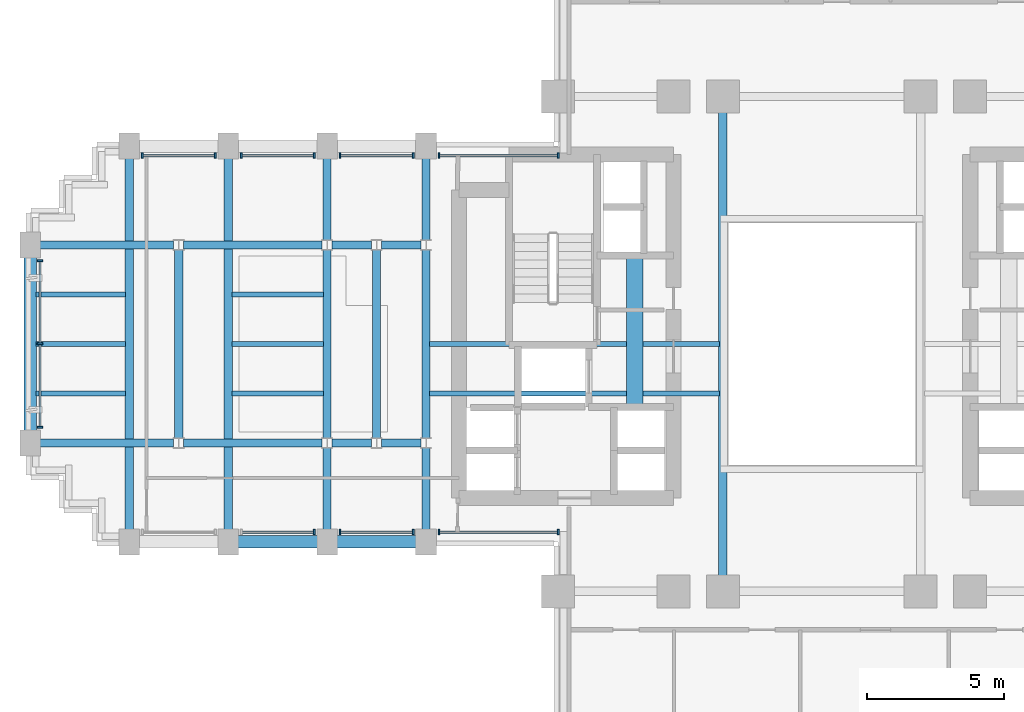
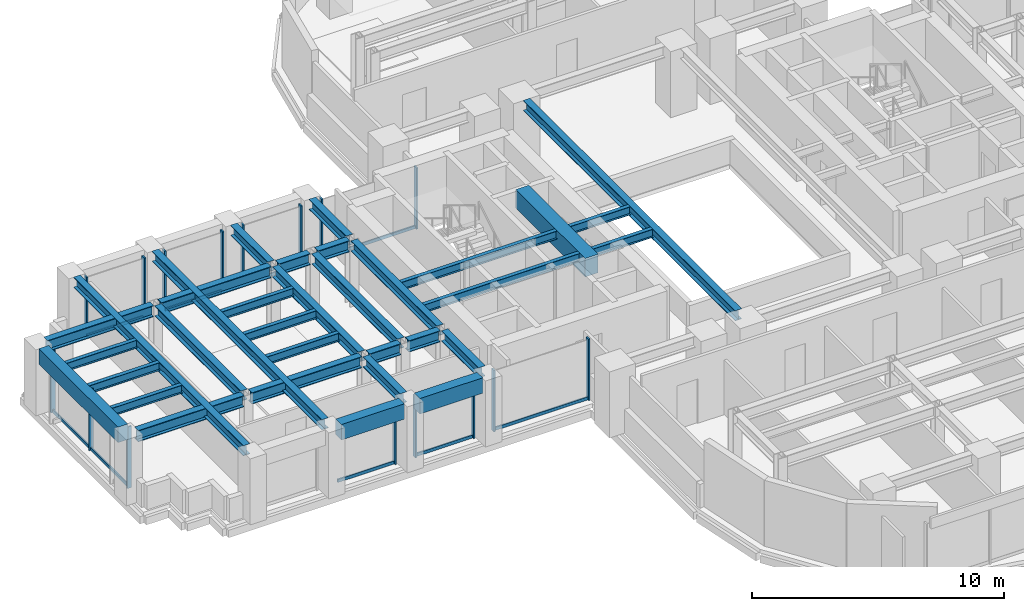
# One storey, part 4 of 16: 31 beams, 25 members, 8 elements without a shape of their own.
"""IFC4 building model written with IfcOpenShell, lengths in metres."""

from ifc_helpers import new_model, si_unit, direction, frame, origin, origin_2d, place, context, subcontext, project, spatial, rectangle, i_section, extrude, source, transform, mapped, material, material_profile, profile_set, type_object, element, aggregate, save


model = new_model("IFC4")

# Units and contexts
model_context = context("Model", 3, precision=1e-05, world=origin(), true_north=direction((0.0, 1.0)))
body_context = subcontext(model_context, "Body", "Model", "MODEL_VIEW")
ifc_project = project(units=[si_unit("LENGTHUNIT", "METRE"), si_unit("AREAUNIT", "SQUARE_METRE"), si_unit("VOLUMEUNIT", "CUBIC_METRE"), si_unit("PLANEANGLEUNIT", "RADIAN"), si_unit("MASSUNIT", "GRAM", prefix="KILO")], contexts=[model_context])

# Site, building, storey
site_placement = place(None, origin())
site = spatial("IfcSite", under=ifc_project, at=site_placement, CompositionType="ELEMENT")
building_placement = place(site_placement, origin())
building = spatial("IfcBuilding", under=site, at=building_placement, Name="Keilestroom Media Tower", CompositionType="ELEMENT")
storey_placement = place(building_placement, frame((0.0, 0.0, 71.39990234375)))
storey = spatial("IfcBuildingStorey", under=building, at=storey_placement, Name="L18", CompositionType="ELEMENT", Elevation=71.39990234375)

# Beams
ifc_material_1 = material(Name="Concrete C70/85", Category="concrete")
ifc_material_profile_1 = material_profile(ifc_material_1, rectangle(XDim=0.60009765625, YDim=0.89990234375, at=origin_2d()), Name="RC 600x900")
ifc_profile_set_1 = profile_set([ifc_material_profile_1], Name="Concrete C70/85")
beam_type_1 = type_object("IfcBeamType", Name="Core-Coupling-Lintel-Beam-RC-600x900", PredefinedType="LINTEL", material=ifc_profile_set_1)
shared_shape_1 = source(origin(), body_context, "Body", "SweptSolid", [
    extrude(rectangle(XDim=0.60009765625, YDim=0.89990234375, at=origin_2d()), origin(), (0.0, 0.0, 1.0), 5.52001953125),
])
beam_1_placement = place(storey_placement, frame((-6.800048828125, -2.300048828125, 2.75), z_axis=(0.0, 1.0, 0.0), x_axis=(-1.0, 0.0, 0.0)))
element("IfcBeam", 1, at=beam_1_placement, inside=storey, type_object=beam_type_1, Name="L18 Beam CLB-1 CLB-L18-W", PredefinedType="LINTEL", context=body_context, shape_type="MappedRepresentation", body=[
    mapped(shared_shape_1, transform((0.0, 0.0, 0.0), x_axis=(1.0, 0.0, 0.0), y_axis=(0.0, 1.0, 0.0), z_axis=(0.0, 0.0, 1.0), scale=1.0)),
])
ifc_material_2 = material(Name="Precast concrete C40/50", Category="concrete")
ifc_material_profile_2 = material_profile(ifc_material_2, rectangle(XDim=0.449951171875, YDim=0.75, at=origin_2d()), Name="PC 450x750")
ifc_profile_set_2 = profile_set([ifc_material_profile_2], Name="Precast concrete C40/50")
beam_type_2 = type_object("IfcBeamType", Name="Perimeter-Spandrel-Beam-PC-450x750", PredefinedType="SPANDREL", material=ifc_profile_set_2)
shared_shape_2 = source(origin(), body_context, "Body", "SweptSolid", [
    extrude(rectangle(XDim=0.449951171875, YDim=0.75, at=origin_2d()), origin(), (0.0, 0.0, 1.0), 6.2900390625),
])
beam_2_placement = place(storey_placement, frame((-28.800048828125, -3.14501953125, 2.8251953125), z_axis=(0.0, 1.0, 0.0), x_axis=(-1.0, 0.0, 0.0)))
element("IfcBeam", 2, at=beam_2_placement, inside=storey, type_object=beam_type_2, Name="L18 Beam SPB-1 BM-L18-NS-051", PredefinedType="SPANDREL", context=body_context, shape_type="MappedRepresentation", body=[
    mapped(shared_shape_2, transform((0.0, 0.0, 0.0), x_axis=(1.0, 0.0, 0.0), y_axis=(0.0, 1.0, 0.0), z_axis=(0.0, 0.0, 1.0), scale=1.0)),
])
shared_shape_3 = source(origin(), body_context, "Body", "SweptSolid", [
    extrude(rectangle(XDim=0.449951171875, YDim=0.75, at=origin_2d()), origin(), (0.0, 0.0, 1.0), 2.89013671875),
])
for number, where, z_axis, x_axis, name in (
    (3, (-21.2451171875, -7.199951171875, 2.8251953125), (1.0, 0.0, 0.0), (0.0, 1.0, 0.0), "L18 Beam SPB-1 BM-L18-EW-013"),
    (4, (-17.64501953125, -7.199951171875, 2.8251953125), (1.0, 0.0, 0.0), (0.0, 1.0, 0.0), "L18 Beam SPB-1 BM-L18-EW-014"),
):
    element("IfcBeam", number, at=place(storey_placement, frame(where, z_axis=z_axis, x_axis=x_axis)), inside=storey, type_object=beam_type_2, Name=name, PredefinedType="SPANDREL", context=body_context, shape_type="MappedRepresentation", body=[
        mapped(shared_shape_3, transform((0.0, 0.0, 0.0), x_axis=(1.0, 0.0, 0.0), y_axis=(0.0, 1.0, 0.0), z_axis=(0.0, 0.0, 1.0), scale=1.0)),
    ])
ifc_material_3 = material(Name="Steel S355", Category="steel")
ifc_material_profile_3 = material_profile(ifc_material_3, i_section(OverallWidth=0.300048828125, OverallDepth=0.550048828125, WebThickness=0.012939453125, FlangeThickness=0.029052734375, at=origin_2d()), Name="HEB 550")
ifc_profile_set_3 = profile_set([ifc_material_profile_3], Name="Steel S355")
beam_type_3 = type_object("IfcBeamType", Name="Primary-Structural-Girder-HEB-550", PredefinedType="BEAM", material=ifc_profile_set_3)
shared_shape_4 = source(origin(), body_context, "Body", "SweptSolid", [
    extrude(i_section(OverallWidth=0.300048828125, OverallDepth=0.550048828125, WebThickness=0.012939453125, FlangeThickness=0.029052734375, at=origin_2d()), origin(), (0.0, 0.0, 1.0), 4.863037109375),
])
for number, where, z_axis, x_axis, name in (
    (5, (-28.445068359375, -3.60009765625, 2.925048828125), (1.0, 0.0, 0.0), (0.0, 1.0, 0.0), "L18 Beam BG-5 BM-L18-EW-018"),
    (6, (-28.445068359375, 3.60009765625, 2.925048828125), (1.0, 0.0, 0.0), (0.0, 1.0, 0.0), "L18 Beam BG-5 BM-L18-EW-026"),
):
    element("IfcBeam", number, at=place(storey_placement, frame(where, z_axis=z_axis, x_axis=x_axis)), inside=storey, type_object=beam_type_3, Name=name, PredefinedType="BEAM", context=body_context, shape_type="MappedRepresentation", body=[
        mapped(shared_shape_4, transform((0.0, 0.0, 0.0), x_axis=(1.0, 0.0, 0.0), y_axis=(0.0, 1.0, 0.0), z_axis=(0.0, 0.0, 1.0), scale=1.0)),
    ])
shared_shape_5 = source(origin(), body_context, "Body", "SweptSolid", [
    extrude(i_section(OverallWidth=0.300048828125, OverallDepth=0.550048828125, WebThickness=0.012939453125, FlangeThickness=0.029052734375, at=origin_2d()), origin(), (0.0, 0.0, 1.0), 5.0361328125),
])
for number, where, z_axis, x_axis, name in (
    (7, (-23.218017578125, -3.60009765625, 2.925048828125), (1.0, 0.0, 0.0), (0.0, 1.0, 0.0), "L18 Beam BG-5 BM-L18-EW-019"),
    (8, (-23.218017578125, 3.60009765625, 2.925048828125), (1.0, 0.0, 0.0), (0.0, 1.0, 0.0), "L18 Beam BG-5 BM-L18-EW-027"),
):
    element("IfcBeam", number, at=place(storey_placement, frame(where, z_axis=z_axis, x_axis=x_axis)), inside=storey, type_object=beam_type_3, Name=name, PredefinedType="BEAM", context=body_context, shape_type="MappedRepresentation", body=[
        mapped(shared_shape_5, transform((0.0, 0.0, 0.0), x_axis=(1.0, 0.0, 0.0), y_axis=(0.0, 1.0, 0.0), z_axis=(0.0, 0.0, 1.0), scale=1.0)),
    ])
shared_shape_6 = source(origin(), body_context, "Body", "SweptSolid", [
    extrude(i_section(OverallWidth=0.300048828125, OverallDepth=0.550048828125, WebThickness=0.012939453125, FlangeThickness=0.029052734375, at=origin_2d()), origin(), (0.0, 0.0, 1.0), 1.43603515625),
])
for number, where, z_axis, x_axis, name in (
    (9, (-17.818115234375, -3.60009765625, 2.925048828125), (1.0, 0.0, 0.0), (0.0, 1.0, 0.0), "L18 Beam BG-5 BM-L18-EW-020"),
    (10, (-16.01806640625, -3.60009765625, 2.925048828125), (1.0, 0.0, 0.0), (0.0, 1.0, 0.0), "L18 Beam BG-5 BM-L18-EW-021"),
    (11, (-17.818115234375, 3.60009765625, 2.925048828125), (1.0, 0.0, 0.0), (0.0, 1.0, 0.0), "L18 Beam BG-5 BM-L18-EW-028"),
    (12, (-16.01806640625, 3.60009765625, 2.925048828125), (1.0, 0.0, 0.0), (0.0, 1.0, 0.0), "L18 Beam BG-5 BM-L18-EW-029"),
):
    element("IfcBeam", number, at=place(storey_placement, frame(where, z_axis=z_axis, x_axis=x_axis)), inside=storey, type_object=beam_type_3, Name=name, PredefinedType="BEAM", context=body_context, shape_type="MappedRepresentation", body=[
        mapped(shared_shape_6, transform((0.0, 0.0, 0.0), x_axis=(1.0, 0.0, 0.0), y_axis=(0.0, 1.0, 0.0), z_axis=(0.0, 0.0, 1.0), scale=1.0)),
    ])
ifc_material_profile_4 = material_profile(ifc_material_3, i_section(OverallWidth=0.300048828125, OverallDepth=0.5, WebThickness=0.012451171875, FlangeThickness=0.028076171875, at=origin_2d()), Name="HEB 500")
ifc_profile_set_4 = profile_set([ifc_material_profile_4], Name="Steel S355")
beam_type_4 = type_object("IfcBeamType", Name="Primary-Structural-Girder-HEB-500", PredefinedType="BEAM", material=ifc_profile_set_4)
shared_shape_7 = source(origin(), body_context, "Body", "SweptSolid", [
    extrude(i_section(OverallWidth=0.300048828125, OverallDepth=0.5, WebThickness=0.012451171875, FlangeThickness=0.028076171875, at=origin_2d()), origin(), (0.0, 0.0, 1.0), 13.490234375),
])
for number, where, z_axis, x_axis, name in (
    (13, (-25.199951171875, -6.7451171875, 2.9501953125), (0.0, 1.0, 0.0), (-1.0, 0.0, 0.0), "L18 Beam BG-6 BM-L18-NS-052"),
    (14, (-21.60009765625, -6.7451171875, 2.9501953125), (0.0, 1.0, 0.0), (-1.0, 0.0, 0.0), "L18 Beam BG-6 BM-L18-NS-054"),
):
    element("IfcBeam", number, at=place(storey_placement, frame(where, z_axis=z_axis, x_axis=x_axis)), inside=storey, type_object=beam_type_4, Name=name, PredefinedType="BEAM", context=body_context, shape_type="MappedRepresentation", body=[
        mapped(shared_shape_7, transform((0.0, 0.0, 0.0), x_axis=(1.0, 0.0, 0.0), y_axis=(0.0, 1.0, 0.0), z_axis=(0.0, 0.0, 1.0), scale=1.0)),
    ])
shared_shape_8 = source(origin(), body_context, "Body", "SweptSolid", [
    extrude(i_section(OverallWidth=0.300048828125, OverallDepth=0.5, WebThickness=0.012451171875, FlangeThickness=0.028076171875, at=origin_2d()), origin(), (0.0, 0.0, 1.0), 6.8330078125),
])
for number, where, z_axis, x_axis, name in (
    (15, (-23.39990234375, -3.41650390625, 2.9501953125), (0.0, 1.0, 0.0), (-1.0, 0.0, 0.0), "L18 Beam BG-6 BM-L18-NS-053"),
    (16, (-18.0, -3.41650390625, 2.9501953125), (0.0, 1.0, 0.0), (-1.0, 0.0, 0.0), "L18 Beam BG-6 BM-L18-NS-056"),
    (17, (-16.199951171875, -3.41650390625, 2.9501953125), (0.0, 1.0, 0.0), (-1.0, 0.0, 0.0), "L18 Beam BG-6 BM-L18-NS-058"),
    (18, (-14.39990234375, -3.41650390625, 2.9501953125), (0.0, 1.0, 0.0), (-1.0, 0.0, 0.0), "L18 Beam BG-6 BM-L18-NS-060"),
):
    element("IfcBeam", number, at=place(storey_placement, frame(where, z_axis=z_axis, x_axis=x_axis)), inside=storey, type_object=beam_type_4, Name=name, PredefinedType="BEAM", context=body_context, shape_type="MappedRepresentation", body=[
        mapped(shared_shape_8, transform((0.0, 0.0, 0.0), x_axis=(1.0, 0.0, 0.0), y_axis=(0.0, 1.0, 0.0), z_axis=(0.0, 0.0, 1.0), scale=1.0)),
    ])
shared_shape_9 = source(origin(), body_context, "Body", "SweptSolid", [
    extrude(i_section(OverallWidth=0.300048828125, OverallDepth=0.5, WebThickness=0.012451171875, FlangeThickness=0.028076171875, at=origin_2d()), origin(), (0.0, 0.0, 1.0), 2.961669921875),
])
for number, where, z_axis, x_axis, name in (
    (19, (-18.0, -6.7451171875, 2.9501953125), (0.0, 1.0, 0.0), (-1.0, 0.0, 0.0), "L18 Beam BG-6 BM-L18-NS-055"),
    (20, (-18.0, 3.783447265625, 2.9501953125), (0.0, 1.0, 0.0), (-1.0, 0.0, 0.0), "L18 Beam BG-6 BM-L18-NS-057"),
    (21, (-14.39990234375, -6.7451171875, 2.9501953125), (0.0, 1.0, 0.0), (-1.0, 0.0, 0.0), "L18 Beam BG-6 BM-L18-NS-059"),
    (22, (-14.39990234375, 3.783447265625, 2.9501953125), (0.0, 1.0, 0.0), (-1.0, 0.0, 0.0), "L18 Beam BG-6 BM-L18-NS-061"),
):
    element("IfcBeam", number, at=place(storey_placement, frame(where, z_axis=z_axis, x_axis=x_axis)), inside=storey, type_object=beam_type_4, Name=name, PredefinedType="BEAM", context=body_context, shape_type="MappedRepresentation", body=[
        mapped(shared_shape_9, transform((0.0, 0.0, 0.0), x_axis=(1.0, 0.0, 0.0), y_axis=(0.0, 1.0, 0.0), z_axis=(0.0, 0.0, 1.0), scale=1.0)),
    ])
shared_shape_10 = source(origin(), body_context, "Body", "SweptSolid", [
    extrude(i_section(OverallWidth=0.300048828125, OverallDepth=0.5, WebThickness=0.012451171875, FlangeThickness=0.028076171875, at=origin_2d()), origin(), (0.0, 0.0, 1.0), 16.83984375),
])
beam_3_placement = place(storey_placement, frame((-3.60009765625, -8.419921875, 2.9501953125), z_axis=(0.0, 1.0, 0.0), x_axis=(-1.0, 0.0, 0.0)))
element("IfcBeam", 23, at=beam_3_placement, inside=storey, type_object=beam_type_4, Name="L18 Beam BG-6 BM-L18-NS-066", PredefinedType="BEAM", context=body_context, shape_type="MappedRepresentation", body=[
    mapped(shared_shape_10, transform((0.0, 0.0, 0.0), x_axis=(1.0, 0.0, 0.0), y_axis=(0.0, 1.0, 0.0), z_axis=(0.0, 0.0, 1.0), scale=1.0)),
])
ifc_material_profile_5 = material_profile(ifc_material_3, i_section(OverallWidth=0.179931640625, OverallDepth=0.39990234375, WebThickness=0.008544921875, FlangeThickness=0.013427734375, at=origin_2d()), Name="IPE 400")
ifc_profile_set_5 = profile_set([ifc_material_profile_5], Name="Steel S355")
beam_type_5 = type_object("IfcBeamType", Name="Secondary-Floor-Joist-IPE-400", PredefinedType="JOIST", material=ifc_profile_set_5)
shared_shape_11 = source(origin(), body_context, "Body", "SweptSolid", [
    extrude(i_section(OverallWidth=0.179931640625, OverallDepth=0.39990234375, WebThickness=0.008544921875, FlangeThickness=0.013427734375, at=origin_2d()), origin(), (0.0, 0.0, 1.0), 3.264892578125),
])
for number, where, z_axis, x_axis, name in (
    (24, (-28.594970703125, -1.800048828125, 3.0), (1.0, 0.0, 0.0), (0.0, 1.0, 0.0), "L18 Beam BJ-4 JST-L18-089"),
    (25, (-28.594970703125, 0.0, 3.0), (1.0, 0.0, 0.0), (0.0, 1.0, 0.0), "L18 Beam BJ-4 JST-L18-096"),
    (26, (-28.594970703125, 1.800048828125, 3.0), (1.0, 0.0, 0.0), (0.0, 1.0, 0.0), "L18 Beam BJ-4 JST-L18-103"),
):
    element("IfcBeam", number, at=place(storey_placement, frame(where, z_axis=z_axis, x_axis=x_axis)), inside=storey, type_object=beam_type_5, Name=name, PredefinedType="JOIST", context=body_context, shape_type="MappedRepresentation", body=[
        mapped(shared_shape_11, transform((0.0, 0.0, 0.0), x_axis=(1.0, 0.0, 0.0), y_axis=(0.0, 1.0, 0.0), z_axis=(0.0, 0.0, 1.0), scale=1.0)),
    ])
shared_shape_12 = source(origin(), body_context, "Body", "SweptSolid", [
    extrude(i_section(OverallWidth=0.179931640625, OverallDepth=0.39990234375, WebThickness=0.008544921875, FlangeThickness=0.013427734375, at=origin_2d()), origin(), (0.0, 0.0, 1.0), 3.340087890625),
])
for number, where, z_axis, x_axis, name in (
    (27, (-21.469970703125, -1.800048828125, 3.0), (1.0, 0.0, 0.0), (0.0, 1.0, 0.0), "L18 Beam BJ-4 JST-L18-090"),
    (28, (-21.469970703125, 0.0, 3.0), (1.0, 0.0, 0.0), (0.0, 1.0, 0.0), "L18 Beam BJ-4 JST-L18-097"),
    (29, (-21.469970703125, 1.800048828125, 3.0), (1.0, 0.0, 0.0), (0.0, 1.0, 0.0), "L18 Beam BJ-4 JST-L18-104"),
):
    element("IfcBeam", number, at=place(storey_placement, frame(where, z_axis=z_axis, x_axis=x_axis)), inside=storey, type_object=beam_type_5, Name=name, PredefinedType="JOIST", context=body_context, shape_type="MappedRepresentation", body=[
        mapped(shared_shape_12, transform((0.0, 0.0, 0.0), x_axis=(1.0, 0.0, 0.0), y_axis=(0.0, 1.0, 0.0), z_axis=(0.0, 0.0, 1.0), scale=1.0)),
    ])
shared_shape_13 = source(origin(), body_context, "Body", "SweptSolid", [
    extrude(i_section(OverallWidth=0.179931640625, OverallDepth=0.39990234375, WebThickness=0.008544921875, FlangeThickness=0.013427734375, at=origin_2d()), origin(), (0.0, 0.0, 1.0), 10.5400390625),
])
for number, where, z_axis, x_axis, name in (
    (30, (-14.27001953125, -1.800048828125, 3.0), (1.0, 0.0, 0.0), (0.0, 1.0, 0.0), "L18 Beam BJ-4 JST-L18-091"),
    (31, (-14.27001953125, 0.0, 3.0), (1.0, 0.0, 0.0), (0.0, 1.0, 0.0), "L18 Beam BJ-4 JST-L18-098"),
):
    element("IfcBeam", number, at=place(storey_placement, frame(where, z_axis=z_axis, x_axis=x_axis)), inside=storey, type_object=beam_type_5, Name=name, PredefinedType="JOIST", context=body_context, shape_type="MappedRepresentation", body=[
        mapped(shared_shape_13, transform((0.0, 0.0, 0.0), x_axis=(1.0, 0.0, 0.0), y_axis=(0.0, 1.0, 0.0), z_axis=(0.0, 0.0, 1.0), scale=1.0)),
    ])

# Curtain wall, members
ifc_material_4 = material(Name="Anodised Aluminium Alloy", Category="aluminium")
curtain_wall_type = type_object("IfcCurtainWallType", Name="Unitised-Curtain-Wall-CW-1", PredefinedType="NOTDEFINED", material=ifc_material_4)
curtain_wall_1_placement = place(storey_placement, origin())
curtain_wall_1 = element("IfcCurtainWall", 32, at=curtain_wall_1_placement, inside=storey, type_object=curtain_wall_type, Name="L18 Curtain Wall CW-1 CW-L18-W-1", PredefinedType="NOTDEFINED")
ifc_material_profile_6 = material_profile(ifc_material_4, rectangle(XDim=0.070068359375, YDim=0.199951171875, at=origin_2d()), Name="ALU MULLION 70x200")
ifc_profile_set_6 = profile_set([ifc_material_profile_6], Name="Anodised Aluminium Alloy")
member_type_1 = type_object("IfcMemberType", Name="Curtain-Wall-Mullion-CW-1", PredefinedType="MULLION", material=ifc_profile_set_6)
shared_shape_14 = source(origin(), body_context, "Body", "SweptSolid", [
    extrude(rectangle(XDim=0.070068359375, YDim=0.199951171875, at=origin_2d()), origin(), (0.0, 0.0, 1.0), 2.97998046875),
])
member_1_placement = place(storey_placement, frame((-28.449951171875, -3.030029296875, 0.0), z_axis=(0.0, 0.0, 1.0), x_axis=(0.0, 1.0, 0.0)))
member_1 = element("IfcMember", 33, at=member_1_placement, type_object=member_type_1, Name="CW-1 Mullion 00", PredefinedType="MULLION", context=body_context, shape_type="MappedRepresentation", body=[
    mapped(shared_shape_14, transform((0.0, 0.0, 0.0), x_axis=(1.0, 0.0, 0.0), y_axis=(0.0, 1.0, 0.0), z_axis=(0.0, 0.0, 1.0), scale=1.0)),
])
member_2_placement = place(storey_placement, frame((-28.449951171875, 0.0, 0.0), z_axis=(0.0, 0.0, 1.0), x_axis=(0.0, 1.0, 0.0)))
member_2 = element("IfcMember", 34, at=member_2_placement, type_object=member_type_1, Name="CW-1 Mullion 01", PredefinedType="MULLION", context=body_context, shape_type="MappedRepresentation", body=[
    mapped(shared_shape_14, transform((0.0, 0.0, 0.0), x_axis=(1.0, 0.0, 0.0), y_axis=(0.0, 1.0, 0.0), z_axis=(0.0, 0.0, 1.0), scale=1.0)),
])
member_3_placement = place(storey_placement, frame((-28.449951171875, 3.030029296875, 0.0), z_axis=(0.0, 0.0, 1.0), x_axis=(0.0, 1.0, 0.0)))
member_3 = element("IfcMember", 35, at=member_3_placement, type_object=member_type_1, Name="CW-1 Mullion 02", PredefinedType="MULLION", context=body_context, shape_type="MappedRepresentation", body=[
    mapped(shared_shape_14, transform((0.0, 0.0, 0.0), x_axis=(1.0, 0.0, 0.0), y_axis=(0.0, 1.0, 0.0), z_axis=(0.0, 0.0, 1.0), scale=1.0)),
])

curtain_wall_2_placement = place(storey_placement, origin())
curtain_wall_2 = element("IfcCurtainWall", 36, at=curtain_wall_2_placement, inside=storey, type_object=curtain_wall_type, Name="L18 Curtain Wall CW-1 CW-L18-NW-1", PredefinedType="NOTDEFINED")
member_4_placement = place(storey_placement, frame((-24.72998046875, 6.85009765625, 0.0), z_axis=(0.0, 0.0, 1.0), x_axis=(1.0, 0.0, 0.0)))
member_4 = element("IfcMember", 37, at=member_4_placement, type_object=member_type_1, Name="CW-1 Mullion 00", PredefinedType="MULLION", context=body_context, shape_type="MappedRepresentation", body=[
    mapped(shared_shape_14, transform((0.0, 0.0, 0.0), x_axis=(1.0, 0.0, 0.0), y_axis=(0.0, 1.0, 0.0), z_axis=(0.0, 0.0, 1.0), scale=1.0)),
])
member_5_placement = place(storey_placement, frame((-22.070068359375, 6.85009765625, 0.0), z_axis=(0.0, 0.0, 1.0), x_axis=(1.0, 0.0, 0.0)))
member_5 = element("IfcMember", 38, at=member_5_placement, type_object=member_type_1, Name="CW-1 Mullion 01", PredefinedType="MULLION", context=body_context, shape_type="MappedRepresentation", body=[
    mapped(shared_shape_14, transform((0.0, 0.0, 0.0), x_axis=(1.0, 0.0, 0.0), y_axis=(0.0, 1.0, 0.0), z_axis=(0.0, 0.0, 1.0), scale=1.0)),
])

curtain_wall_3_placement = place(storey_placement, origin())
curtain_wall_3 = element("IfcCurtainWall", 39, at=curtain_wall_3_placement, inside=storey, type_object=curtain_wall_type, Name="L18 Curtain Wall CW-1 CW-L18-NW-2", PredefinedType="NOTDEFINED")
member_6_placement = place(storey_placement, frame((-21.1298828125, 6.85009765625, 0.0), z_axis=(0.0, 0.0, 1.0), x_axis=(1.0, 0.0, 0.0)))
member_6 = element("IfcMember", 40, at=member_6_placement, type_object=member_type_1, Name="CW-1 Mullion 00", PredefinedType="MULLION", context=body_context, shape_type="MappedRepresentation", body=[
    mapped(shared_shape_14, transform((0.0, 0.0, 0.0), x_axis=(1.0, 0.0, 0.0), y_axis=(0.0, 1.0, 0.0), z_axis=(0.0, 0.0, 1.0), scale=1.0)),
])
member_7_placement = place(storey_placement, frame((-18.469970703125, 6.85009765625, 0.0), z_axis=(0.0, 0.0, 1.0), x_axis=(1.0, 0.0, 0.0)))
member_7 = element("IfcMember", 41, at=member_7_placement, type_object=member_type_1, Name="CW-1 Mullion 01", PredefinedType="MULLION", context=body_context, shape_type="MappedRepresentation", body=[
    mapped(shared_shape_14, transform((0.0, 0.0, 0.0), x_axis=(1.0, 0.0, 0.0), y_axis=(0.0, 1.0, 0.0), z_axis=(0.0, 0.0, 1.0), scale=1.0)),
])

curtain_wall_4_placement = place(storey_placement, origin())
curtain_wall_4 = element("IfcCurtainWall", 42, at=curtain_wall_4_placement, inside=storey, type_object=curtain_wall_type, Name="L18 Curtain Wall CW-1 CW-L18-NW-3", PredefinedType="NOTDEFINED")
member_8_placement = place(storey_placement, frame((-17.530029296875, 6.85009765625, 0.0), z_axis=(0.0, 0.0, 1.0), x_axis=(1.0, 0.0, 0.0)))
member_8 = element("IfcMember", 43, at=member_8_placement, type_object=member_type_1, Name="CW-1 Mullion 00", PredefinedType="MULLION", context=body_context, shape_type="MappedRepresentation", body=[
    mapped(shared_shape_14, transform((0.0, 0.0, 0.0), x_axis=(1.0, 0.0, 0.0), y_axis=(0.0, 1.0, 0.0), z_axis=(0.0, 0.0, 1.0), scale=1.0)),
])
member_9_placement = place(storey_placement, frame((-14.8701171875, 6.85009765625, 0.0), z_axis=(0.0, 0.0, 1.0), x_axis=(1.0, 0.0, 0.0)))
member_9 = element("IfcMember", 44, at=member_9_placement, type_object=member_type_1, Name="CW-1 Mullion 01", PredefinedType="MULLION", context=body_context, shape_type="MappedRepresentation", body=[
    mapped(shared_shape_14, transform((0.0, 0.0, 0.0), x_axis=(1.0, 0.0, 0.0), y_axis=(0.0, 1.0, 0.0), z_axis=(0.0, 0.0, 1.0), scale=1.0)),
])

curtain_wall_5_placement = place(storey_placement, origin())
curtain_wall_5 = element("IfcCurtainWall", 45, at=curtain_wall_5_placement, inside=storey, type_object=curtain_wall_type, Name="L18 Curtain Wall CW-1 CW-L18-NW-4", PredefinedType="NOTDEFINED")
member_10_placement = place(storey_placement, frame((-13.929931640625, 6.85009765625, 0.0), z_axis=(0.0, 0.0, 1.0), x_axis=(1.0, 0.0, 0.0)))
member_10 = element("IfcMember", 46, at=member_10_placement, type_object=member_type_1, Name="CW-1 Mullion 00", PredefinedType="MULLION", context=body_context, shape_type="MappedRepresentation", body=[
    mapped(shared_shape_14, transform((0.0, 0.0, 0.0), x_axis=(1.0, 0.0, 0.0), y_axis=(0.0, 1.0, 0.0), z_axis=(0.0, 0.0, 1.0), scale=1.0)),
])
member_11_placement = place(storey_placement, frame((-9.5849609375, 6.85009765625, 0.0), z_axis=(0.0, 0.0, 1.0), x_axis=(1.0, 0.0, 0.0)))
member_11 = element("IfcMember", 47, at=member_11_placement, type_object=member_type_1, Name="CW-1 Mullion 01", PredefinedType="MULLION", context=body_context, shape_type="MappedRepresentation", body=[
    mapped(shared_shape_14, transform((0.0, 0.0, 0.0), x_axis=(1.0, 0.0, 0.0), y_axis=(0.0, 1.0, 0.0), z_axis=(0.0, 0.0, 1.0), scale=1.0)),
])

# Curtain wall, member
curtain_wall_6_placement = place(storey_placement, origin())
curtain_wall_6 = element("IfcCurtainWall", 48, at=curtain_wall_6_placement, inside=storey, type_object=curtain_wall_type, Name="L18 Curtain Wall CW-1 CW-L18-SW-2", PredefinedType="NOTDEFINED")
member_12_placement = place(storey_placement, frame((-18.469970703125, -6.85009765625, 0.0), z_axis=(0.0, 0.0, 1.0), x_axis=(1.0, 0.0, 0.0)))
member_12 = element("IfcMember", 49, at=member_12_placement, type_object=member_type_1, Name="CW-1 Mullion 01", PredefinedType="MULLION", context=body_context, shape_type="MappedRepresentation", body=[
    mapped(shared_shape_14, transform((0.0, 0.0, 0.0), x_axis=(1.0, 0.0, 0.0), y_axis=(0.0, 1.0, 0.0), z_axis=(0.0, 0.0, 1.0), scale=1.0)),
])

# Curtain wall, members
curtain_wall_7_placement = place(storey_placement, origin())
curtain_wall_7 = element("IfcCurtainWall", 50, at=curtain_wall_7_placement, inside=storey, type_object=curtain_wall_type, Name="L18 Curtain Wall CW-1 CW-L18-SW-3", PredefinedType="NOTDEFINED")
member_13_placement = place(storey_placement, frame((-17.530029296875, -6.85009765625, 0.0), z_axis=(0.0, 0.0, 1.0), x_axis=(1.0, 0.0, 0.0)))
member_13 = element("IfcMember", 51, at=member_13_placement, type_object=member_type_1, Name="CW-1 Mullion 00", PredefinedType="MULLION", context=body_context, shape_type="MappedRepresentation", body=[
    mapped(shared_shape_14, transform((0.0, 0.0, 0.0), x_axis=(1.0, 0.0, 0.0), y_axis=(0.0, 1.0, 0.0), z_axis=(0.0, 0.0, 1.0), scale=1.0)),
])
member_14_placement = place(storey_placement, frame((-14.8701171875, -6.85009765625, 0.0), z_axis=(0.0, 0.0, 1.0), x_axis=(1.0, 0.0, 0.0)))
member_14 = element("IfcMember", 52, at=member_14_placement, type_object=member_type_1, Name="CW-1 Mullion 01", PredefinedType="MULLION", context=body_context, shape_type="MappedRepresentation", body=[
    mapped(shared_shape_14, transform((0.0, 0.0, 0.0), x_axis=(1.0, 0.0, 0.0), y_axis=(0.0, 1.0, 0.0), z_axis=(0.0, 0.0, 1.0), scale=1.0)),
])

curtain_wall_8_placement = place(storey_placement, origin())
curtain_wall_8 = element("IfcCurtainWall", 53, at=curtain_wall_8_placement, inside=storey, type_object=curtain_wall_type, Name="L18 Curtain Wall CW-1 CW-L18-SW-4", PredefinedType="NOTDEFINED")
member_15_placement = place(storey_placement, frame((-13.929931640625, -6.85009765625, 0.0), z_axis=(0.0, 0.0, 1.0), x_axis=(1.0, 0.0, 0.0)))
member_15 = element("IfcMember", 54, at=member_15_placement, type_object=member_type_1, Name="CW-1 Mullion 00", PredefinedType="MULLION", context=body_context, shape_type="MappedRepresentation", body=[
    mapped(shared_shape_14, transform((0.0, 0.0, 0.0), x_axis=(1.0, 0.0, 0.0), y_axis=(0.0, 1.0, 0.0), z_axis=(0.0, 0.0, 1.0), scale=1.0)),
])
member_16_placement = place(storey_placement, frame((-9.5849609375, -6.85009765625, 0.0), z_axis=(0.0, 0.0, 1.0), x_axis=(1.0, 0.0, 0.0)))
member_16 = element("IfcMember", 55, at=member_16_placement, type_object=member_type_1, Name="CW-1 Mullion 01", PredefinedType="MULLION", context=body_context, shape_type="MappedRepresentation", body=[
    mapped(shared_shape_14, transform((0.0, 0.0, 0.0), x_axis=(1.0, 0.0, 0.0), y_axis=(0.0, 1.0, 0.0), z_axis=(0.0, 0.0, 1.0), scale=1.0)),
])

# Member
ifc_material_profile_7 = material_profile(ifc_material_4, rectangle(XDim=0.06494140625, YDim=0.14990234375, at=origin_2d()), Name="ALU TRANSOM 65x150")
ifc_profile_set_7 = profile_set([ifc_material_profile_7], Name="Anodised Aluminium Alloy")
member_type_2 = type_object("IfcMemberType", Name="Curtain-Wall-Transom-CW-1", PredefinedType="USERDEFINED", material=ifc_profile_set_7)
shared_shape_15 = source(origin(), body_context, "Body", "SweptSolid", [
    extrude(rectangle(XDim=0.06494140625, YDim=0.14990234375, at=origin_2d()), origin(), (0.0, 0.0, 1.0), 2.964111328125),
])
member_17_placement = place(storey_placement, frame((-28.449951171875, -2.9970703125, 0.0751953125), z_axis=(0.0, 1.0, 0.0), x_axis=(-1.0, 0.0, 0.0)))
member_17 = element("IfcMember", 56, at=member_17_placement, type_object=member_type_2, Name="CW-1 Transom 00.1", ObjectType="TRANSOM", PredefinedType="USERDEFINED", context=body_context, shape_type="MappedRepresentation", body=[
    mapped(shared_shape_15, transform((0.0, 0.0, 0.0), x_axis=(1.0, 0.0, 0.0), y_axis=(0.0, 1.0, 0.0), z_axis=(0.0, 0.0, 1.0), scale=1.0)),
])

member_18_placement = place(storey_placement, frame((-28.449951171875, 0.032958984375, 0.0751953125), z_axis=(0.0, 1.0, 0.0), x_axis=(-1.0, 0.0, 0.0)))
member_18 = element("IfcMember", 57, at=member_18_placement, type_object=member_type_2, Name="CW-1 Transom 01.1", ObjectType="TRANSOM", PredefinedType="USERDEFINED", context=body_context, shape_type="MappedRepresentation", body=[
    mapped(shared_shape_15, transform((0.0, 0.0, 0.0), x_axis=(1.0, 0.0, 0.0), y_axis=(0.0, 1.0, 0.0), z_axis=(0.0, 0.0, 1.0), scale=1.0)),
])

aggregate(curtain_wall_1, [member_1, member_2, member_3, member_17, member_18])

shared_shape_16 = source(origin(), body_context, "Body", "SweptSolid", [
    extrude(rectangle(XDim=0.06494140625, YDim=0.14990234375, at=origin_2d()), origin(), (0.0, 0.0, 1.0), 2.593994140625),
])
member_19_placement = place(storey_placement, frame((-24.697021484375, 6.85009765625, 0.0751953125), z_axis=(1.0, 0.0, 0.0), x_axis=(0.0, 1.0, 0.0)))
member_19 = element("IfcMember", 58, at=member_19_placement, type_object=member_type_2, Name="CW-1 Transom 00.1", ObjectType="TRANSOM", PredefinedType="USERDEFINED", context=body_context, shape_type="MappedRepresentation", body=[
    mapped(shared_shape_16, transform((0.0, 0.0, 0.0), x_axis=(1.0, 0.0, 0.0), y_axis=(0.0, 1.0, 0.0), z_axis=(0.0, 0.0, 1.0), scale=1.0)),
])

aggregate(curtain_wall_2, [member_4, member_5, member_19])

member_20_placement = place(storey_placement, frame((-21.096923828125, 6.85009765625, 0.0751953125), z_axis=(1.0, 0.0, 0.0), x_axis=(0.0, 1.0, 0.0)))
member_20 = element("IfcMember", 59, at=member_20_placement, type_object=member_type_2, Name="CW-1 Transom 00.1", ObjectType="TRANSOM", PredefinedType="USERDEFINED", context=body_context, shape_type="MappedRepresentation", body=[
    mapped(shared_shape_16, transform((0.0, 0.0, 0.0), x_axis=(1.0, 0.0, 0.0), y_axis=(0.0, 1.0, 0.0), z_axis=(0.0, 0.0, 1.0), scale=1.0)),
])

aggregate(curtain_wall_3, [member_6, member_7, member_20])

member_21_placement = place(storey_placement, frame((-17.4970703125, 6.85009765625, 0.0751953125), z_axis=(1.0, 0.0, 0.0), x_axis=(0.0, 1.0, 0.0)))
member_21 = element("IfcMember", 60, at=member_21_placement, type_object=member_type_2, Name="CW-1 Transom 00.1", ObjectType="TRANSOM", PredefinedType="USERDEFINED", context=body_context, shape_type="MappedRepresentation", body=[
    mapped(shared_shape_16, transform((0.0, 0.0, 0.0), x_axis=(1.0, 0.0, 0.0), y_axis=(0.0, 1.0, 0.0), z_axis=(0.0, 0.0, 1.0), scale=1.0)),
])

aggregate(curtain_wall_4, [member_8, member_9, member_21])

member_22_placement = place(storey_placement, frame((-21.096923828125, -6.85009765625, 0.0751953125), z_axis=(1.0, 0.0, 0.0), x_axis=(0.0, 1.0, 0.0)))
member_22 = element("IfcMember", 61, at=member_22_placement, type_object=member_type_2, Name="CW-1 Transom 00.1", ObjectType="TRANSOM", PredefinedType="USERDEFINED", context=body_context, shape_type="MappedRepresentation", body=[
    mapped(shared_shape_16, transform((0.0, 0.0, 0.0), x_axis=(1.0, 0.0, 0.0), y_axis=(0.0, 1.0, 0.0), z_axis=(0.0, 0.0, 1.0), scale=1.0)),
])

aggregate(curtain_wall_6, [member_12, member_22])

member_23_placement = place(storey_placement, frame((-17.4970703125, -6.85009765625, 0.0751953125), z_axis=(1.0, 0.0, 0.0), x_axis=(0.0, 1.0, 0.0)))
member_23 = element("IfcMember", 62, at=member_23_placement, type_object=member_type_2, Name="CW-1 Transom 00.1", ObjectType="TRANSOM", PredefinedType="USERDEFINED", context=body_context, shape_type="MappedRepresentation", body=[
    mapped(shared_shape_16, transform((0.0, 0.0, 0.0), x_axis=(1.0, 0.0, 0.0), y_axis=(0.0, 1.0, 0.0), z_axis=(0.0, 0.0, 1.0), scale=1.0)),
])

aggregate(curtain_wall_7, [member_13, member_14, member_23])

shared_shape_17 = source(origin(), body_context, "Body", "SweptSolid", [
    extrude(rectangle(XDim=0.06494140625, YDim=0.14990234375, at=origin_2d()), origin(), (0.0, 0.0, 1.0), 4.279052734375),
])
member_24_placement = place(storey_placement, frame((-13.89697265625, 6.85009765625, 0.0751953125), z_axis=(1.0, 0.0, 0.0), x_axis=(0.0, 1.0, 0.0)))
member_24 = element("IfcMember", 63, at=member_24_placement, type_object=member_type_2, Name="CW-1 Transom 00.1", ObjectType="TRANSOM", PredefinedType="USERDEFINED", context=body_context, shape_type="MappedRepresentation", body=[
    mapped(shared_shape_17, transform((0.0, 0.0, 0.0), x_axis=(1.0, 0.0, 0.0), y_axis=(0.0, 1.0, 0.0), z_axis=(0.0, 0.0, 1.0), scale=1.0)),
])

aggregate(curtain_wall_5, [member_10, member_11, member_24])

member_25_placement = place(storey_placement, frame((-13.89697265625, -6.85009765625, 0.0751953125), z_axis=(1.0, 0.0, 0.0), x_axis=(0.0, 1.0, 0.0)))
member_25 = element("IfcMember", 64, at=member_25_placement, type_object=member_type_2, Name="CW-1 Transom 00.1", ObjectType="TRANSOM", PredefinedType="USERDEFINED", context=body_context, shape_type="MappedRepresentation", body=[
    mapped(shared_shape_17, transform((0.0, 0.0, 0.0), x_axis=(1.0, 0.0, 0.0), y_axis=(0.0, 1.0, 0.0), z_axis=(0.0, 0.0, 1.0), scale=1.0)),
])

aggregate(curtain_wall_8, [member_15, member_16, member_25])

save(model, "model.ifc")
